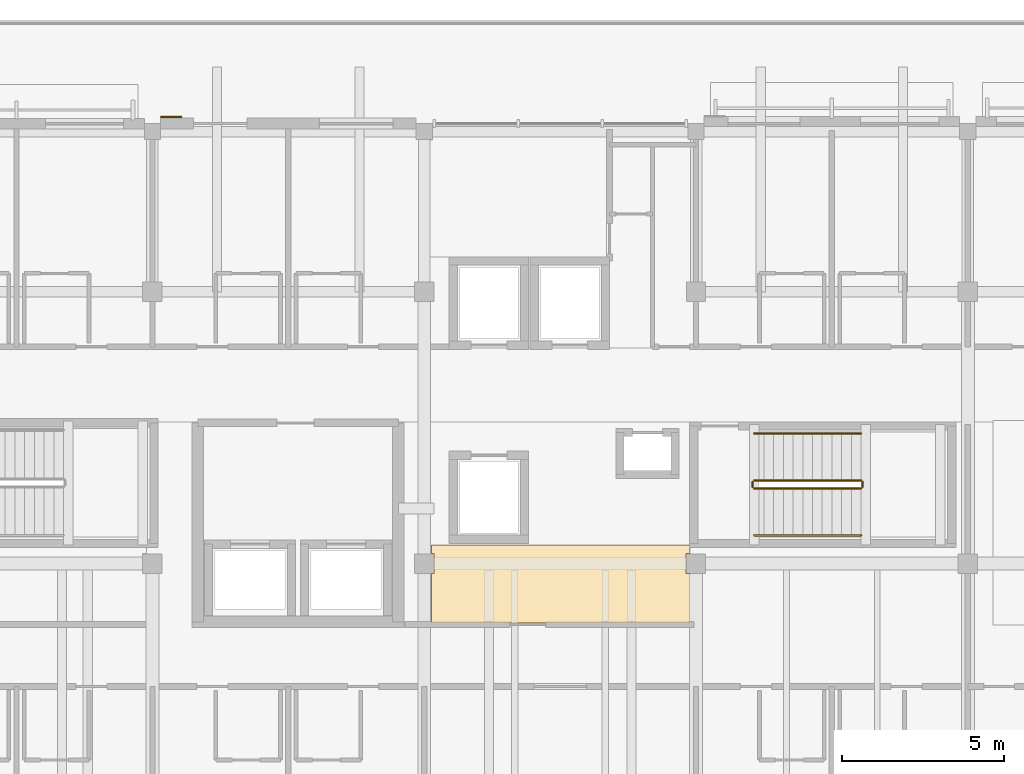
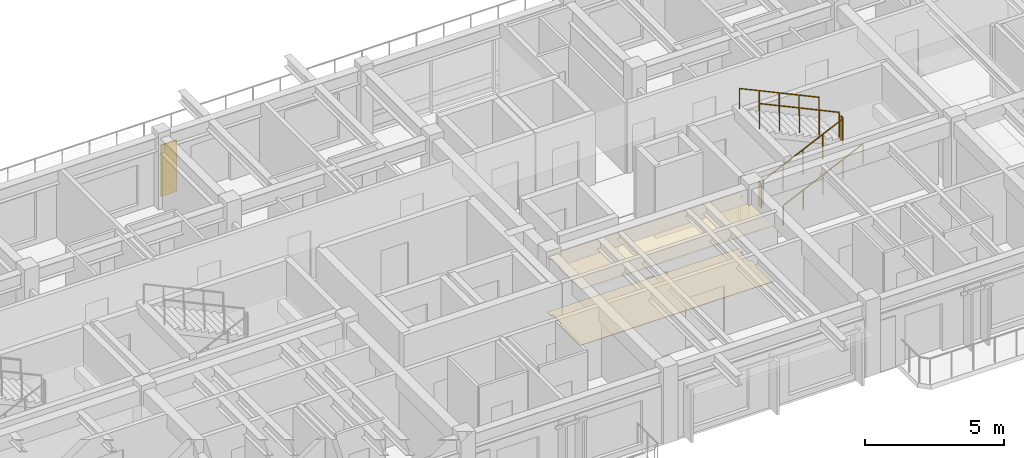
# One storey, part 20 of 22: 6 railings, 3 coverings.
"""IFC4 building model written with IfcOpenShell, lengths in metres."""

from ifc_helpers import new_model, si_unit, direction, frame, origin, origin_2d, place, context, subcontext, project, spatial, polyline, circle, outline, extrude, material, layer, layer_set, type_object, element, save


model = new_model("IFC4")

# Units and contexts
model_context = context("Model", 3, precision=1e-05, world=origin(), true_north=direction((0.0, 1.0)))
body_context = subcontext(model_context, "Body", "Model", "MODEL_VIEW")
ifc_project = project(units=[si_unit("LENGTHUNIT", "METRE"), si_unit("AREAUNIT", "SQUARE_METRE"), si_unit("VOLUMEUNIT", "CUBIC_METRE"), si_unit("PLANEANGLEUNIT", "RADIAN"), si_unit("MASSUNIT", "GRAM", prefix="KILO")], contexts=[model_context])

# Site, building, storey
site_placement = place(None, origin())
site = spatial("IfcSite", under=ifc_project, at=site_placement, CompositionType="ELEMENT")
building_placement = place(site_placement, origin())
building = spatial("IfcBuilding", under=site, at=building_placement, Name="Cumbredor Promenade Congress Hotel", CompositionType="ELEMENT")
storey_placement = place(building_placement, frame((0.0, 0.0, 28.56005859375)))
storey = spatial("IfcBuildingStorey", under=building, at=storey_placement, Name="L08", CompositionType="ELEMENT", Elevation=28.56005859375)

# Coverings
ifc_material_1 = material(Name="Acoustic mineral-fiber and gypsum ceiling")
ifc_layer_1 = layer(ifc_material_1, 0.028076171875, Name="Acoustic mineral-fiber and gypsum ceiling")
ifc_layer_set_1 = layer_set([ifc_layer_1], Name="Acoustic mineral-fiber and gypsum ceiling")
covering_type_1 = type_object("IfcCoveringType", Name="Acoustic Perforated Gypsum Ceiling CLG-03 28mm", PredefinedType="CEILING", material=ifc_layer_set_1)
covering_1_placement = place(storey_placement, frame((0.0, 0.0, 2.44287109375)))
element("IfcCovering", 1, at=covering_1_placement, inside=storey, type_object=covering_type_1, Name="L08 Cordillera Business Lounge Acoustic Ceiling", PredefinedType="CEILING", context=body_context, shape_type="SweptSolid", body=[
    extrude(outline(polyline([(41.820068359375, 101.3701171875), (41.820068359375, 101.10498046875), (41.695068359375, 101.10498046875), (41.695068359375, 100.4951171875), (41.820068359375, 100.4951171875), (41.820068359375, 98.9599609375), (33.830078125, 98.9599609375), (33.830078125, 100.4951171875), (33.905029296875, 100.4951171875), (33.905029296875, 101.10498046875), (33.830078125, 101.10498046875), (33.830078125, 101.3701171875), (41.820068359375, 101.3701171875)])), origin(), (0.0, 0.0, 1.0), 0.028076171875),
])
ifc_material_2 = material(Name="Precast concrete C40/50", Category="concrete")
ifc_layer_2 = layer(ifc_material_2, 0.044921875, Name="Precast concrete C40/50", Category="concrete")
ifc_layer_set_2 = layer_set([ifc_layer_2], Name="Precast concrete C40/50")
covering_type_2 = type_object("IfcCoveringType", Name="Board-Formed Architectural Cladding Panel 45mm", PredefinedType="CLADDING", material=ifc_layer_set_2)
covering_2_placement = place(storey_placement, origin())
element("IfcCovering", 2, at=covering_2_placement, inside=storey, type_object=covering_type_2, Name="L08 Facade Stone Cladding Pier 236", PredefinedType="CLADDING", context=body_context, shape_type="SweptSolid", body=[
    extrude(outline(polyline([(25.450927734375, 114.574951171875), (26.10107421875, 114.574951171875), (26.10107421875, 114.6201171875), (25.450927734375, 114.6201171875), (25.450927734375, 114.574951171875)])), origin(), (0.0, 0.0, 1.0), 2.25),
])

# Railings
ifc_material_3 = material(Name="Brushed stainless steel", Category="steel")
railing_type_1 = type_object("IfcRailingType", Name="Interior Void & Stair Guardrail GR-1100", PredefinedType="GUARDRAIL", material=ifc_material_3)
railing_1_placement = place(storey_placement, frame((43.800048828125, 103.1201171875, 0.139892578125)))
element("IfcRailing", 3, at=railing_1_placement, inside=storey, type_object=railing_type_1, Name="L08 ST-03 stair guard 1", PredefinedType="GUARDRAIL", context=body_context, shape_type="SweptSolid", body=[
    extrude(circle(Radius=0.02392578125, at=origin_2d()), frame((0.0, 0.0, 1.09619140625), z_axis=(0.906181427284, 0.0, 0.422889135408), x_axis=(0.0, 1.0, 0.0)), (0.0, 0.0, 1.0), 3.6416015625),
    extrude(circle(Radius=0.02099609375, at=origin_2d()), origin(), (0.0, 0.0, 1.0), 1.072021484375),
    extrude(circle(Radius=0.02099609375, at=origin_2d()), frame((0.824951171875, 0.0, 0.385009765625)), (0.0, 0.0, 1.0), 1.072021484375),
    extrude(circle(Radius=0.02099609375, at=origin_2d()), frame((1.64990234375, 0.0, 0.77001953125)), (0.0, 0.0, 1.0), 1.072021484375),
    extrude(circle(Radius=0.02099609375, at=origin_2d()), frame((2.47509765625, 0.0, 1.155029296875)), (0.0, 0.0, 1.0), 1.072021484375),
    extrude(circle(Radius=0.02099609375, at=origin_2d()), frame((3.300048828125, 0.0, 1.5400390625)), (0.0, 0.0, 1.0), 1.072021484375),
])
railing_2_placement = place(storey_placement, frame((47.14990234375, 103.169921875, 1.679931640625)))
element("IfcRailing", 4, at=railing_2_placement, inside=storey, type_object=railing_type_1, Name="L08 ST-03 stair guard 2", PredefinedType="GUARDRAIL", context=body_context, shape_type="SweptSolid", body=[
    extrude(circle(Radius=0.02392578125, at=origin_2d()), frame((0.0, 0.0, 1.09619140625), z_axis=(0.0, 1.0, 0.0), x_axis=(-1.0, 0.0, 0.0)), (0.0, 0.0, 1.0), 0.150146484375),
    extrude(circle(Radius=0.02099609375, at=origin_2d()), origin(), (0.0, 0.0, 1.0), 1.072021484375),
    extrude(circle(Radius=0.02099609375, at=origin_2d()), frame((0.0, 0.150146484375, 0.0)), (0.0, 0.0, 1.0), 1.072021484375),
])
railing_3_placement = place(storey_placement, frame((47.10009765625, 103.3701171875, 1.81982421875)))
element("IfcRailing", 5, at=railing_3_placement, inside=storey, type_object=railing_type_1, Name="L08 ST-03 stair guard 3", PredefinedType="GUARDRAIL", context=body_context, shape_type="SweptSolid", body=[
    extrude(circle(Radius=0.02392578125, at=origin_2d()), frame((0.0, 0.0, 1.09619140625), z_axis=(-0.906181427284, 0.0, 0.422889135408), x_axis=(0.0, -1.0, 0.0)), (0.0, 0.0, 1.0), 3.6416015625),
    extrude(circle(Radius=0.02099609375, at=origin_2d()), origin(), (0.0, 0.0, 1.0), 1.072021484375),
    extrude(circle(Radius=0.02099609375, at=origin_2d()), frame((-0.824951171875, 0.0, 0.385009765625)), (0.0, 0.0, 1.0), 1.072021484375),
    extrude(circle(Radius=0.02099609375, at=origin_2d()), frame((-1.64990234375, 0.0, 0.77001953125)), (0.0, 0.0, 1.0), 1.072021484375),
    extrude(circle(Radius=0.02099609375, at=origin_2d()), frame((-2.47509765625, 0.0, 1.155029296875)), (0.0, 0.0, 1.0), 1.072021484375),
    extrude(circle(Radius=0.02099609375, at=origin_2d()), frame((-3.300048828125, 0.0, 1.5400390625)), (0.0, 0.0, 1.0), 1.072021484375),
])
railing_4_placement = place(storey_placement, frame((43.75, 103.169921875, 0.0)))
element("IfcRailing", 6, at=railing_4_placement, inside=storey, type_object=railing_type_1, Name="L08 ST-03 stair guard 4", PredefinedType="GUARDRAIL", context=body_context, shape_type="SweptSolid", body=[
    extrude(circle(Radius=0.02392578125, at=origin_2d()), frame((0.0, 0.0, 1.09619140625), z_axis=(0.0, 1.0, 0.0), x_axis=(-1.0, 0.0, 0.0)), (0.0, 0.0, 1.0), 0.150146484375),
    extrude(circle(Radius=0.02099609375, at=origin_2d()), origin(), (0.0, 0.0, 1.0), 1.072021484375),
    extrude(circle(Radius=0.02099609375, at=origin_2d()), frame((0.0, 0.150146484375, 0.0)), (0.0, 0.0, 1.0), 1.072021484375),
])

# Covering
ifc_material_4 = material(Name="Porcelain stoneware tile", Category="masonry")
ifc_layer_3 = layer(ifc_material_4, 0.02001953125, Name="Porcelain stoneware tile", Category="masonry")
ifc_layer_set_3 = layer_set([ifc_layer_3], Name="Porcelain stoneware tile")
covering_type_3 = type_object("IfcCoveringType", Name="Porcelain Stoneware Flooring FLR-01 20mm", PredefinedType="FLOORING", material=ifc_layer_set_3)
covering_3_placement = place(storey_placement, origin())
element("IfcCovering", 7, at=covering_3_placement, inside=storey, type_object=covering_type_3, Name="L08 Cordillera Business Lounge Porcelain Flooring", PredefinedType="FLOORING", context=body_context, shape_type="SweptSolid", body=[
    extrude(outline(polyline([(41.820068359375, 101.3701171875), (41.820068359375, 101.10498046875), (41.695068359375, 101.10498046875), (41.695068359375, 100.4951171875), (41.820068359375, 100.4951171875), (41.820068359375, 98.9599609375), (33.830078125, 98.9599609375), (33.830078125, 100.4951171875), (33.905029296875, 100.4951171875), (33.905029296875, 101.10498046875), (33.830078125, 101.10498046875), (33.830078125, 101.3701171875), (41.820068359375, 101.3701171875)])), origin(), (0.0, 0.0, 1.0), 0.02001953125),
])

# Railings
railing_type_2 = type_object("IfcRailingType", Name="Stair Pitch Handrail HR-900", PredefinedType="HANDRAIL", material=ifc_material_3)
railing_5_placement = place(storey_placement, frame((43.800048828125, 101.669921875, 0.139892578125)))
element("IfcRailing", 8, at=railing_5_placement, inside=storey, type_object=railing_type_2, Name="L08 ST-03 stair handrail 1", PredefinedType="HANDRAIL", context=body_context, shape_type="SweptSolid", body=[
    extrude(circle(Radius=0.02392578125, at=origin_2d()), frame((0.0, 0.0, 0.8759765625), z_axis=(0.906181427284, 0.0, 0.422889135408), x_axis=(0.0, 1.0, 0.0)), (0.0, 0.0, 1.0), 3.6416015625),
    extrude(circle(Radius=0.02099609375, at=origin_2d()), origin(), (0.0, 0.0, 1.0), 0.851806640625),
    extrude(circle(Radius=0.02099609375, at=origin_2d()), frame((0.824951171875, 0.0, 0.385009765625)), (0.0, 0.0, 1.0), 0.851806640625),
    extrude(circle(Radius=0.02099609375, at=origin_2d()), frame((1.64990234375, 0.0, 0.77001953125)), (0.0, 0.0, 1.0), 0.851806640625),
    extrude(circle(Radius=0.02099609375, at=origin_2d()), frame((2.47509765625, 0.0, 1.155029296875)), (0.0, 0.0, 1.0), 0.851806640625),
    extrude(circle(Radius=0.02099609375, at=origin_2d()), frame((3.300048828125, 0.0, 1.5400390625)), (0.0, 0.0, 1.0), 0.851806640625),
])
railing_6_placement = place(storey_placement, frame((47.10009765625, 104.820068359375, 1.81982421875)))
element("IfcRailing", 9, at=railing_6_placement, inside=storey, type_object=railing_type_2, Name="L08 ST-03 stair handrail 2", PredefinedType="HANDRAIL", context=body_context, shape_type="SweptSolid", body=[
    extrude(circle(Radius=0.02392578125, at=origin_2d()), frame((0.0, 0.0, 0.8759765625), z_axis=(-0.906181427284, 0.0, 0.422889135408), x_axis=(0.0, -1.0, 0.0)), (0.0, 0.0, 1.0), 3.6416015625),
    extrude(circle(Radius=0.02099609375, at=origin_2d()), origin(), (0.0, 0.0, 1.0), 0.851806640625),
    extrude(circle(Radius=0.02099609375, at=origin_2d()), frame((-0.824951171875, 0.0, 0.385009765625)), (0.0, 0.0, 1.0), 0.851806640625),
    extrude(circle(Radius=0.02099609375, at=origin_2d()), frame((-1.64990234375, 0.0, 0.77001953125)), (0.0, 0.0, 1.0), 0.851806640625),
    extrude(circle(Radius=0.02099609375, at=origin_2d()), frame((-2.47509765625, 0.0, 1.155029296875)), (0.0, 0.0, 1.0), 0.851806640625),
    extrude(circle(Radius=0.02099609375, at=origin_2d()), frame((-3.300048828125, 0.0, 1.5400390625)), (0.0, 0.0, 1.0), 0.851806640625),
])

save(model, "model.ifc")
